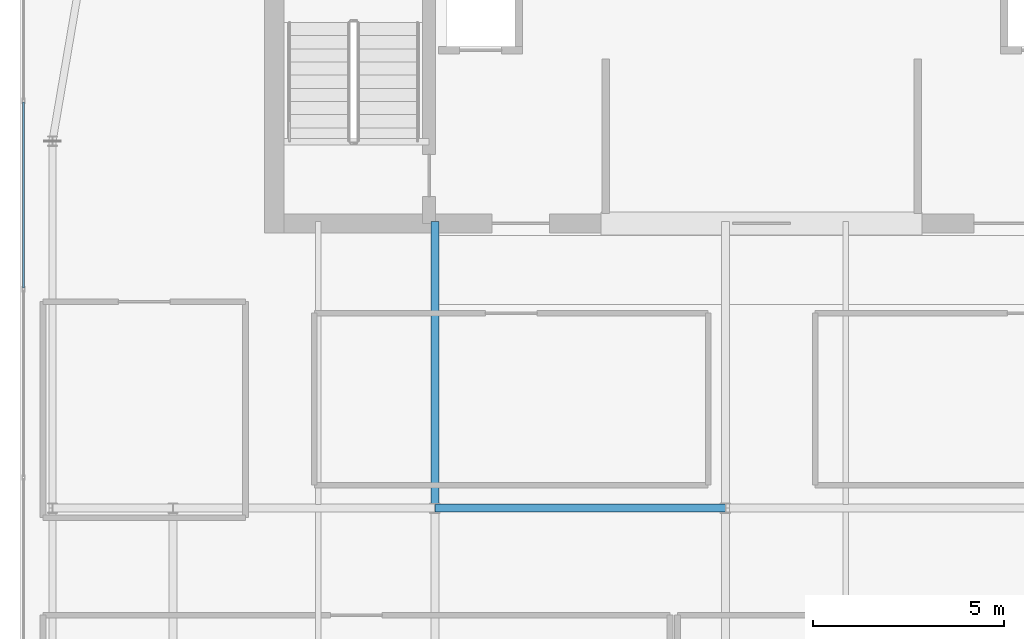
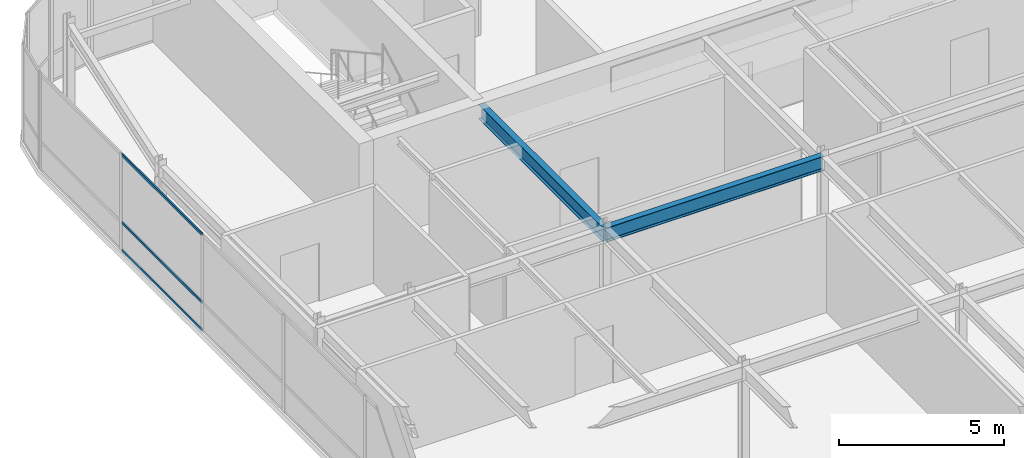
# One storey, part 18 of 36: 3 members, 2 beams, 1 element without a shape of its own.
"""IFC4 building model written with IfcOpenShell, lengths in metres."""

from ifc_helpers import new_model, si_unit, direction, frame, origin, origin_2d, place, context, subcontext, project, spatial, hollow_rectangle, i_section, extrude, source, transform, mapped, material, layer, layer_set, material_profile, profile_set, type_object, type_shapes, element, aggregate, save


model = new_model("IFC4")

# Units and contexts
model_context = context("Model", 3, precision=1e-05, world=origin(), true_north=direction((0.0, 1.0)))
body_context = subcontext(model_context, "Body", "Model", "MODEL_VIEW")
ifc_project = project(units=[si_unit("LENGTHUNIT", "METRE"), si_unit("AREAUNIT", "SQUARE_METRE"), si_unit("VOLUMEUNIT", "CUBIC_METRE"), si_unit("PLANEANGLEUNIT", "RADIAN"), si_unit("MASSUNIT", "GRAM", prefix="KILO")], contexts=[model_context])

# Site, building, storey
site_placement = place(None, origin())
site = spatial("IfcSite", under=ifc_project, at=site_placement, CompositionType="ELEMENT")
building_placement = place(site_placement, origin())
building = spatial("IfcBuilding", under=site, at=building_placement, Name="Tolvann Quenvar Hotel", CompositionType="ELEMENT")
storey_placement = place(building_placement, frame((0.0, 0.0, 294.75)))
storey = spatial("IfcBuildingStorey", under=building, at=storey_placement, Name="L78", CompositionType="ELEMENT", Elevation=294.75)

# Beams
ifc_material_1 = material(Name="Steel Grade 350", Category="steel")
ifc_material_profile_1 = material_profile(ifc_material_1, i_section(OverallWidth=0.208984375, OverallDepth=0.532958984375, WebThickness=0.01025390625, FlangeThickness=0.015625, FilletRadius=0.013916015625, at=origin_2d()), Name="530UB92")
ifc_profile_set_1 = profile_set([ifc_material_profile_1], Name="Steel Grade 350")
beam_type = type_object("IfcBeamType", Name="BM_GIRD_530UB92", PredefinedType="BEAM", material=ifc_profile_set_1)
shared_shape_1 = source(origin(), body_context, "Body", "SweptSolid", [
    extrude(i_section(OverallWidth=0.208984375, OverallDepth=0.532958984375, WebThickness=0.01025390625, FlangeThickness=0.015625, FilletRadius=0.013916015625, at=origin_2d()), origin(), (0.0, 0.0, 1.0), 7.60009765625),
])
beam_1_placement = place(storey_placement, frame((14.449951171875, 24.39990234375, 3.3134765625), z_axis=(1.0, 0.0, 0.0), x_axis=(0.0, 1.0, 0.0)))
element("IfcBeam", 1, at=beam_1_placement, inside=storey, type_object=beam_type, Name="BM-L78-EW-5-D5-E5", PredefinedType="BEAM", context=body_context, shape_type="MappedRepresentation", body=[
    mapped(shared_shape_1, transform((0.0, 0.0, 0.0), x_axis=(1.0, 0.0, 0.0), y_axis=(0.0, 1.0, 0.0), z_axis=(0.0, 0.0, 1.0), scale=1.0)),
])
shared_shape_2 = source(origin(), body_context, "Body", "SweptSolid", [
    extrude(i_section(OverallWidth=0.208984375, OverallDepth=0.532958984375, WebThickness=0.01025390625, FlangeThickness=0.015625, FilletRadius=0.013916015625, at=origin_2d()), origin(), (0.0, 0.0, 1.0), 7.5),
])
type_shapes(beam_type, [shared_shape_1, shared_shape_2])
beam_2_placement = place(storey_placement, frame((14.449951171875, 24.39990234375, 3.3134765625), z_axis=(0.0, 1.0, 0.0), x_axis=(-1.0, 0.0, 0.0)))
element("IfcBeam", 2, at=beam_2_placement, inside=storey, type_object=beam_type, Name="BM-L78-CORE-D5", PredefinedType="BEAM", context=body_context, shape_type="MappedRepresentation", body=[
    mapped(shared_shape_2, transform((0.0, 0.0, 0.0), x_axis=(1.0, 0.0, 0.0), y_axis=(0.0, 1.0, 0.0), z_axis=(0.0, 0.0, 1.0), scale=1.0)),
])

# Curtain wall, members
ifc_material_2 = material(Name="Thermally broken anodised architectural aluminium 6063-T6 and laminated low-E glass", Category="aluminium")
ifc_layer = layer(ifc_material_2, 0.179931640625)
ifc_layer_set = layer_set([ifc_layer], Name="Thermally broken anodised architectural aluminium 6063-T6 and laminated low-E glass")
curtain_wall_type = type_object("IfcCurtainWallType", Name="CW_SYS_LANT_06", PredefinedType="USERDEFINED", material=ifc_layer_set)
curtain_wall_placement = place(storey_placement, origin())
curtain_wall = element("IfcCurtainWall", 3, at=curtain_wall_placement, inside=storey, type_object=curtain_wall_type, Name="Curtain Wall CW-LANT-06 (CWR-L78-E19)", ObjectType="UNITISED CURTAIN WALL", PredefinedType="USERDEFINED")
ifc_material_3 = material(Name="Anodised architectural aluminium 6063-T6 framing", Category="aluminium")
ifc_material_profile_2 = material_profile(ifc_material_3, hollow_rectangle(XDim=0.050048828125, YDim=0.10009765625, WallThickness=0.0029296875, at=origin_2d()), Name="100x50x3RHS")
ifc_profile_set_2 = profile_set([ifc_material_profile_2], Name="Anodised architectural aluminium 6063-T6 framing")
member_type = type_object("IfcMemberType", Name="CW_TRAN_100x50", PredefinedType="USERDEFINED", material=ifc_profile_set_2)
shared_shape_3 = source(origin(), body_context, "Body", "SweptSolid", [
    extrude(hollow_rectangle(XDim=0.050048828125, YDim=0.10009765625, WallThickness=0.0029296875, at=origin_2d()), origin(), (0.0, 0.0, 1.0), 4.862548828125),
])
type_shapes(member_type, [shared_shape_3])
member_1_placement = place(storey_placement, frame((3.68994140625, 35.022705078125, 0.02490234375), z_axis=(0.0, -1.0, 0.0), x_axis=(1.0, 0.0, 0.0)))
member_1 = element("IfcMember", 4, at=member_1_placement, type_object=member_type, Name="CW-LANT-06 transom 2.1", ObjectType="TRANSOM", PredefinedType="USERDEFINED", context=body_context, shape_type="MappedRepresentation", body=[
    mapped(shared_shape_3, transform((0.0, 0.0, 0.0), x_axis=(1.0, 0.0, 0.0), y_axis=(0.0, 1.0, 0.0), z_axis=(0.0, 0.0, 1.0), scale=1.0)),
])
member_2_placement = place(storey_placement, frame((3.68994140625, 35.022705078125, 1.050048828125), z_axis=(0.0, -1.0, 0.0), x_axis=(1.0, 0.0, 0.0)))
member_2 = element("IfcMember", 5, at=member_2_placement, type_object=member_type, Name="CW-LANT-06 transom 2.2", ObjectType="TRANSOM", PredefinedType="USERDEFINED", context=body_context, shape_type="MappedRepresentation", body=[
    mapped(shared_shape_3, transform((0.0, 0.0, 0.0), x_axis=(1.0, 0.0, 0.0), y_axis=(0.0, 1.0, 0.0), z_axis=(0.0, 0.0, 1.0), scale=1.0)),
])
member_3_placement = place(storey_placement, frame((3.68994140625, 35.022705078125, 3.554931640625), z_axis=(0.0, -1.0, 0.0), x_axis=(1.0, 0.0, 0.0)))
member_3 = element("IfcMember", 6, at=member_3_placement, type_object=member_type, Name="CW-LANT-06 transom 2.3", ObjectType="TRANSOM", PredefinedType="USERDEFINED", context=body_context, shape_type="MappedRepresentation", body=[
    mapped(shared_shape_3, transform((0.0, 0.0, 0.0), x_axis=(1.0, 0.0, 0.0), y_axis=(0.0, 1.0, 0.0), z_axis=(0.0, 0.0, 1.0), scale=1.0)),
])
aggregate(curtain_wall, [member_1, member_2, member_3])

save(model, "model.ifc")
